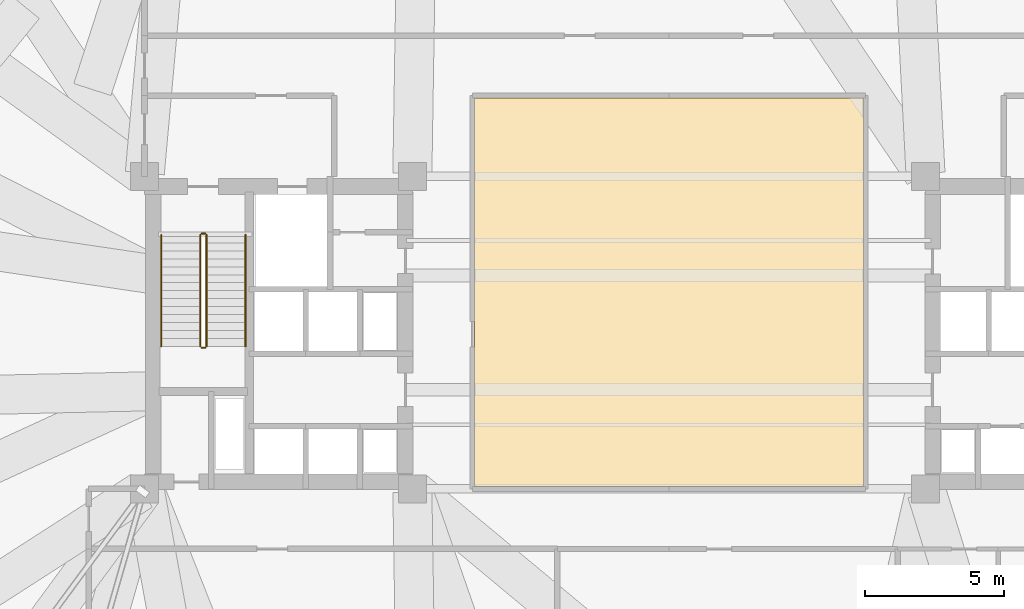
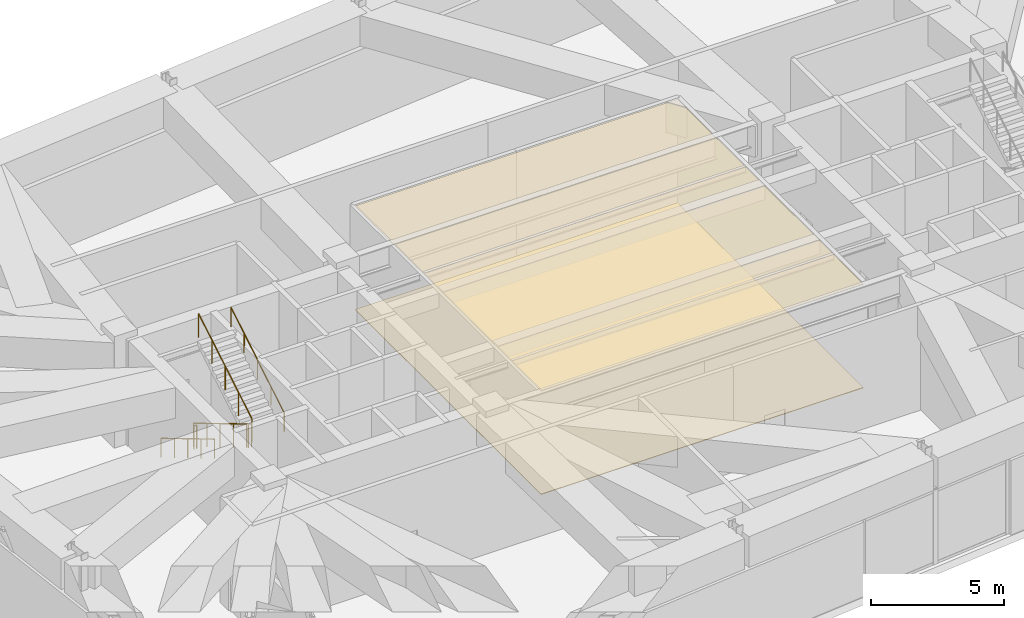
# One storey, part 22 of 23: 6 railings, 2 coverings.
"""IFC4 building model written with IfcOpenShell, lengths in metres."""

from ifc_helpers import new_model, si_unit, direction, frame, origin, origin_2d, place, context, subcontext, project, spatial, polyline, circle, outline, extrude, material, layer, layer_set, type_object, element, save


model = new_model("IFC4")

# Units and contexts
model_context = context("Model", 3, precision=1e-05, world=origin(), true_north=direction((0.0, 1.0)))
body_context = subcontext(model_context, "Body", "Model", "MODEL_VIEW")
ifc_project = project(units=[si_unit("LENGTHUNIT", "METRE"), si_unit("AREAUNIT", "SQUARE_METRE"), si_unit("VOLUMEUNIT", "CUBIC_METRE"), si_unit("PLANEANGLEUNIT", "RADIAN"), si_unit("MASSUNIT", "GRAM", prefix="KILO")], contexts=[model_context])

# Site, building, storey
site_placement = place(None, origin())
site = spatial("IfcSite", under=ifc_project, at=site_placement, CompositionType="ELEMENT")
building_placement = place(site_placement, origin())
building = spatial("IfcBuilding", under=site, at=building_placement, Name="Qobustan Lattice House", CompositionType="ELEMENT")
storey_placement = place(building_placement, frame((0.0, 0.0, 125.89990234375)))
storey = spatial("IfcBuildingStorey", under=building, at=storey_placement, Name="L35", CompositionType="ELEMENT", Elevation=125.89990234375)

# Coverings
ifc_material_1 = material(Name="Perforated gypsum acoustic ceiling", Category="gypsum")
ifc_layer_1 = layer(ifc_material_1, 0.030029296875)
ifc_layer_set_1 = layer_set([ifc_layer_1], Name="Perforated gypsum acoustic ceiling")
covering_type_1 = type_object("IfcCoveringType", Name="COV-ACOUSTIC-CEIL", PredefinedType="CEILING", material=ifc_layer_set_1)
covering_1_placement = place(storey_placement, frame((0.0, 0.0, 4.72998046875)))
element("IfcCovering", 1, at=covering_1_placement, inside=storey, type_object=covering_type_1, Name="L35 Mid-rise transfer sky lobby acoustic ceiling", PredefinedType="CEILING", context=body_context, shape_type="SweptSolid", body=[
    extrude(outline(polyline([(6.969970703125, -5.52001953125), (6.969970703125, 8.419921875), (-6.969970703125, 8.419921875), (-6.969970703125, -5.52001953125), (6.969970703125, -5.52001953125)])), origin(), (0.0, 0.0, 1.0), 0.030029296875),
])
ifc_material_2 = material(Name="Honed Absheron stone terrazzo flooring", Category="masonry")
ifc_layer_2 = layer(ifc_material_2, 0.02490234375)
ifc_layer_set_2 = layer_set([ifc_layer_2], Name="Honed Absheron stone terrazzo flooring")
covering_type_2 = type_object("IfcCoveringType", Name="COV-TERRAZZO-FLR", PredefinedType="FLOORING", material=ifc_layer_set_2)
covering_2_placement = place(storey_placement, origin())
element("IfcCovering", 2, at=covering_2_placement, inside=storey, type_object=covering_type_2, Name="L35 Mid-rise transfer sky lobby stone terrazzo flooring", PredefinedType="FLOORING", context=body_context, shape_type="SweptSolid", body=[
    extrude(outline(polyline([(6.969970703125, -5.52001953125), (6.969970703125, 8.419921875), (-6.969970703125, 8.419921875), (-6.969970703125, -5.52001953125), (6.969970703125, -5.52001953125)])), origin(), (0.0, 0.0, 1.0), 0.025146484375),
])

# Railings
ifc_material_3 = material(Name="Brushed stainless steel handrail", Category="steel")
railing_type_1 = type_object("IfcRailingType", Name="RAL-HR-920", PredefinedType="HANDRAIL", material=ifc_material_3)
railing_1_placement = place(storey_placement, frame((-18.199951171875, 3.5, 0.170166015625)))
element("IfcRailing", 3, at=railing_1_placement, inside=storey, type_object=railing_type_1, Name="L35 ST-W1 stair handrail 1", PredefinedType="HANDRAIL", context=body_context, shape_type="SweptSolid", body=[
    extrude(circle(Radius=0.02392578125, at=origin_2d()), frame((0.0, 0.0, 0.8759765625), z_axis=(0.0, -0.85883005064, 0.512260621284), x_axis=(1.0, 0.0, 0.0)), (0.0, 0.0, 1.0), 4.645751953125),
    extrude(circle(Radius=0.02099609375, at=origin_2d()), origin(), (0.0, 0.0, 1.0), 0.851806640625),
    extrude(circle(Radius=0.02099609375, at=origin_2d()), frame((0.0, -0.99755859375, 0.594970703125)), (0.0, 0.0, 1.0), 0.851806640625),
    extrude(circle(Radius=0.02099609375, at=origin_2d()), frame((0.0, -1.9951171875, 1.18994140625)), (0.0, 0.0, 1.0), 0.851806640625),
    extrude(circle(Radius=0.02099609375, at=origin_2d()), frame((0.0, -2.992431640625, 1.784912109375)), (0.0, 0.0, 1.0), 0.851806640625),
    extrude(circle(Radius=0.02099609375, at=origin_2d()), frame((0.0, -3.989990234375, 2.3798828125)), (0.0, 0.0, 1.0), 0.851806640625),
])
railing_2_placement = place(storey_placement, frame((-15.179931640625, -0.489990234375, 2.72021484375)))
element("IfcRailing", 4, at=railing_2_placement, inside=storey, type_object=railing_type_1, Name="L35 ST-W1 stair handrail 2", PredefinedType="HANDRAIL", context=body_context, shape_type="SweptSolid", body=[
    extrude(circle(Radius=0.02392578125, at=origin_2d()), frame((0.0, 0.0, 0.8759765625), z_axis=(0.0, 0.85883005064, 0.512260621284), x_axis=(-1.0, 0.0, 0.0)), (0.0, 0.0, 1.0), 4.645751953125),
    extrude(circle(Radius=0.02099609375, at=origin_2d()), origin(), (0.0, 0.0, 1.0), 0.851806640625),
    extrude(circle(Radius=0.02099609375, at=origin_2d()), frame((0.0, 0.99755859375, 0.594970703125)), (0.0, 0.0, 1.0), 0.851806640625),
    extrude(circle(Radius=0.02099609375, at=origin_2d()), frame((0.0, 1.9951171875, 1.18994140625)), (0.0, 0.0, 1.0), 0.851806640625),
    extrude(circle(Radius=0.02099609375, at=origin_2d()), frame((0.0, 2.992431640625, 1.784912109375)), (0.0, 0.0, 1.0), 0.851806640625),
    extrude(circle(Radius=0.02099609375, at=origin_2d()), frame((0.0, 3.989990234375, 2.3798828125)), (0.0, 0.0, 1.0), 0.851806640625),
])
ifc_material_4 = material(Name="Painted galvanized steel guardrail", Category="steel")
railing_type_2 = type_object("IfcRailingType", Name="RAL-STG-1150", PredefinedType="GUARDRAIL", material=ifc_material_4)
railing_3_placement = place(storey_placement, frame((-16.800048828125, 3.5, 0.170166015625)))
element("IfcRailing", 5, at=railing_3_placement, inside=storey, type_object=railing_type_2, Name="L35 ST-W1 stair guard 1", PredefinedType="GUARDRAIL", context=body_context, shape_type="SweptSolid", body=[
    extrude(circle(Radius=0.02392578125, at=origin_2d()), frame((0.0, 0.0, 1.076171875), z_axis=(0.0, -0.85883005064, 0.512260621284), x_axis=(1.0, 0.0, 0.0)), (0.0, 0.0, 1.0), 4.645751953125),
    extrude(circle(Radius=0.02099609375, at=origin_2d()), origin(), (0.0, 0.0, 1.0), 1.052001953125),
    extrude(circle(Radius=0.02099609375, at=origin_2d()), frame((0.0, -0.99755859375, 0.594970703125)), (0.0, 0.0, 1.0), 1.052001953125),
    extrude(circle(Radius=0.02099609375, at=origin_2d()), frame((0.0, -1.9951171875, 1.18994140625)), (0.0, 0.0, 1.0), 1.052001953125),
    extrude(circle(Radius=0.02099609375, at=origin_2d()), frame((0.0, -2.992431640625, 1.784912109375)), (0.0, 0.0, 1.0), 1.052001953125),
    extrude(circle(Radius=0.02099609375, at=origin_2d()), frame((0.0, -3.989990234375, 2.3798828125)), (0.0, 0.0, 1.0), 1.052001953125),
])
railing_4_placement = place(storey_placement, frame((-16.75, -0.5400390625, 2.550048828125)))
element("IfcRailing", 6, at=railing_4_placement, inside=storey, type_object=railing_type_2, Name="L35 ST-W1 stair guard 2", PredefinedType="GUARDRAIL", context=body_context, shape_type="SweptSolid", body=[
    extrude(circle(Radius=0.02392578125, at=origin_2d()), frame((0.0, 0.0, 1.076171875), z_axis=(1.0, 0.0, 0.0), x_axis=(0.0, 1.0, 0.0)), (0.0, 0.0, 1.0), 0.1201171875),
    extrude(circle(Radius=0.02099609375, at=origin_2d()), origin(), (0.0, 0.0, 1.0), 1.052001953125),
    extrude(circle(Radius=0.02099609375, at=origin_2d()), frame((0.1201171875, 0.0, 0.0)), (0.0, 0.0, 1.0), 1.052001953125),
])
railing_5_placement = place(storey_placement, frame((-16.580078125, -0.489990234375, 2.72021484375)))
element("IfcRailing", 7, at=railing_5_placement, inside=storey, type_object=railing_type_2, Name="L35 ST-W1 stair guard 3", PredefinedType="GUARDRAIL", context=body_context, shape_type="SweptSolid", body=[
    extrude(circle(Radius=0.02392578125, at=origin_2d()), frame((0.0, 0.0, 1.076171875), z_axis=(0.0, 0.85883005064, 0.512260621284), x_axis=(-1.0, 0.0, 0.0)), (0.0, 0.0, 1.0), 4.645751953125),
    extrude(circle(Radius=0.02099609375, at=origin_2d()), origin(), (0.0, 0.0, 1.0), 1.052001953125),
    extrude(circle(Radius=0.02099609375, at=origin_2d()), frame((0.0, 0.99755859375, 0.594970703125)), (0.0, 0.0, 1.0), 1.052001953125),
    extrude(circle(Radius=0.02099609375, at=origin_2d()), frame((0.0, 1.9951171875, 1.18994140625)), (0.0, 0.0, 1.0), 1.052001953125),
    extrude(circle(Radius=0.02099609375, at=origin_2d()), frame((0.0, 2.992431640625, 1.784912109375)), (0.0, 0.0, 1.0), 1.052001953125),
    extrude(circle(Radius=0.02099609375, at=origin_2d()), frame((0.0, 3.989990234375, 2.3798828125)), (0.0, 0.0, 1.0), 1.052001953125),
])
railing_6_placement = place(storey_placement, frame((-16.75, 3.550048828125, 0.0)))
element("IfcRailing", 8, at=railing_6_placement, inside=storey, type_object=railing_type_2, Name="L35 ST-W1 stair guard 4", PredefinedType="GUARDRAIL", context=body_context, shape_type="SweptSolid", body=[
    extrude(circle(Radius=0.02392578125, at=origin_2d()), frame((0.0, 0.0, 1.076171875), z_axis=(1.0, 0.0, 0.0), x_axis=(0.0, 1.0, 0.0)), (0.0, 0.0, 1.0), 0.1201171875),
    extrude(circle(Radius=0.02099609375, at=origin_2d()), origin(), (0.0, 0.0, 1.0), 1.052001953125),
    extrude(circle(Radius=0.02099609375, at=origin_2d()), frame((0.1201171875, 0.0, 0.0)), (0.0, 0.0, 1.0), 1.052001953125),
])

save(model, "model.ifc")
